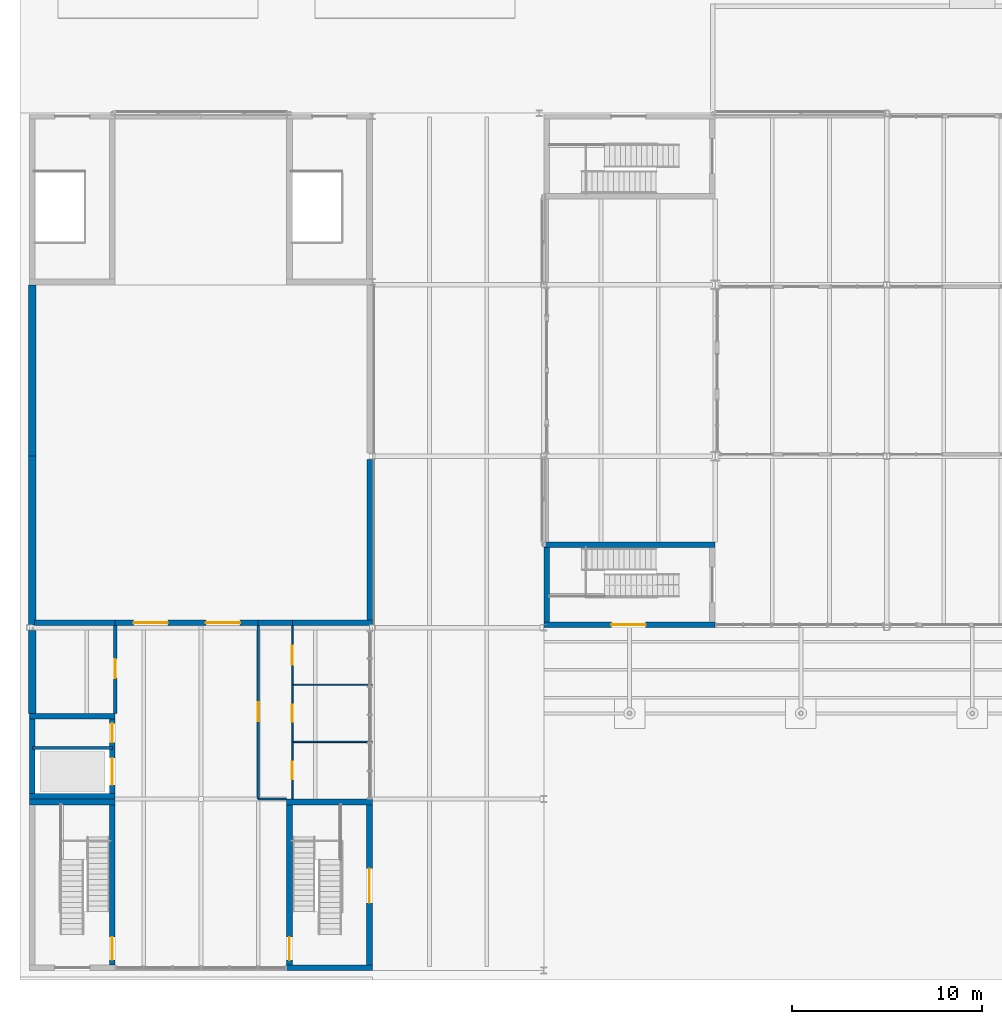
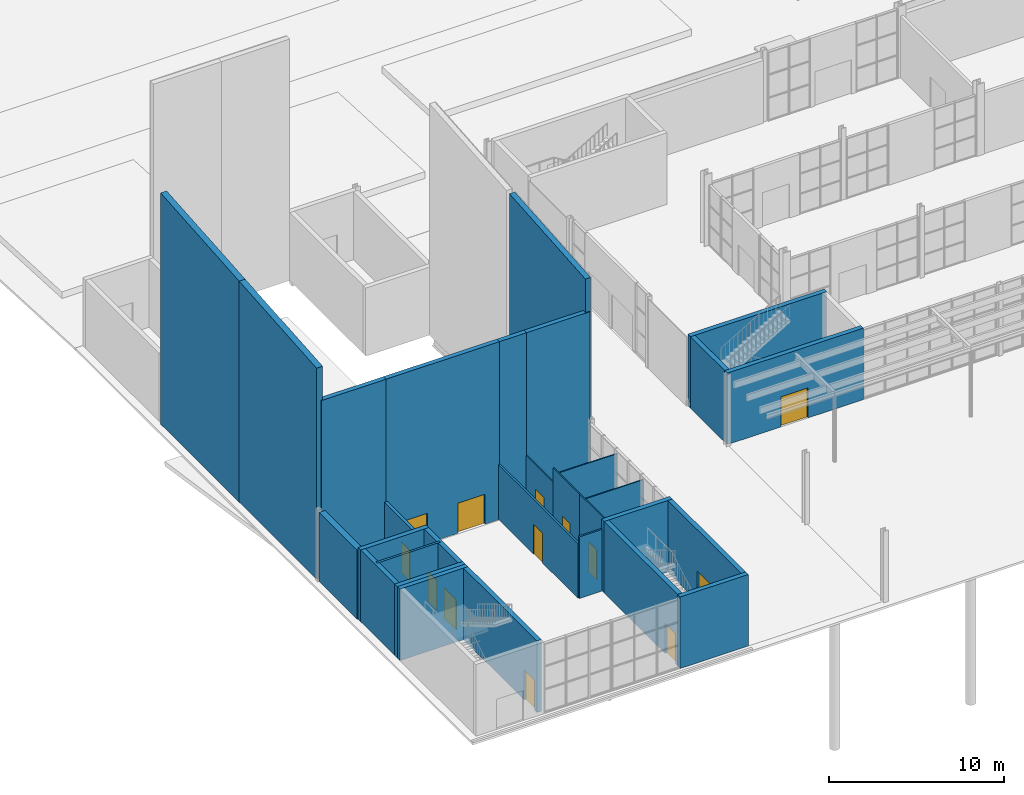
# One storey, part 36 of 63: 30 walls, 13 doors, 13 openings.
"""IFC4 building model written with IfcOpenShell, lengths in metres."""

from ifc_helpers import new_model, si_unit, direction, frame, frame_2d, origin, place, context, subcontext, project, spatial, polyline, rectangle, outline, extrude, material, layer, layer_set, type_object, element, fill, save


model = new_model("IFC4")

# Units and contexts
model_context = context("Model", 3, precision=1e-05, world=origin(), true_north=direction((0.0, 1.0)))
body_context = subcontext(model_context, "Body", "Model", "MODEL_VIEW")
ifc_project = project(units=[si_unit("LENGTHUNIT", "METRE"), si_unit("AREAUNIT", "SQUARE_METRE"), si_unit("VOLUMEUNIT", "CUBIC_METRE"), si_unit("PLANEANGLEUNIT", "RADIAN"), si_unit("MASSUNIT", "GRAM", prefix="KILO")], contexts=[model_context])

# Site, building, storey
site_placement = place(None, origin())
site = spatial("IfcSite", under=ifc_project, at=site_placement, CompositionType="ELEMENT")
building_placement = place(site_placement, origin())
building = spatial("IfcBuilding", under=site, at=building_placement, Name="Halyard Row Museum", CompositionType="ELEMENT")
storey_placement = place(building_placement, origin())
storey = spatial("IfcBuildingStorey", under=building, at=storey_placement, Name="L00", CompositionType="ELEMENT", Elevation=0.0)

# Wall
ifc_material_1 = material(Name="Dark timber battens on acoustic double stud wall", Category="wood")
ifc_layer_1 = layer(ifc_material_1, 0.35009765625)
ifc_layer_set_1 = layer_set([ifc_layer_1], Name="Dark timber battens on acoustic double stud wall")
wall_type_1 = type_object("IfcWallType", Name="Acoustic wall 350 dark timber-clad", PredefinedType="SOLIDWALL", material=ifc_layer_set_1)
wall_1_placement = place(storey_placement, frame((17.885009765625, 18.14990234375, 0.0), z_axis=(0.0, 0.0, 1.0), x_axis=(0.0, 1.0, 0.0)))
element("IfcWall", 1, at=wall_1_placement, inside=storey, type_object=wall_type_1, Name="Wall WL00-812", PredefinedType="SOLIDWALL", context=body_context, shape_type="SweptSolid", body=[
    extrude(outline(polyline([(0.0, 0.0), (8.6865234375, 0.0), (8.686279296875, 15.427001953125), (0.0, 14.73193359375), (0.0, 0.0)])), frame((0.0, 0.175048828125, 0.0), z_axis=(0.0, -1.0, 0.0), x_axis=(1.0, 0.0, 0.0)), (0.0, 0.0, 1.0), 0.35009765625),
])

# Wall, openings, doors
ifc_material_2 = material(Name="Plasterboard on steel studs with mineral wool", Category="steel")
ifc_layer_2 = layer(ifc_material_2, 0.300048828125)
ifc_layer_set_2 = layer_set([ifc_layer_2], Name="Plasterboard on steel studs with mineral wool")
wall_type_2 = type_object("IfcWallType", Name="Auditorium wall 300 acoustic", PredefinedType="PARTITIONING", material=ifc_layer_set_2)
wall_2_placement = place(storey_placement, frame((4.5, 18.25, -0.03759765625), z_axis=(0.0, 0.0, 1.0), x_axis=(1.0, 0.0, 0.0)))
wall_2 = element("IfcWall", 2, at=wall_2_placement, inside=storey, type_object=wall_type_2, Name="Partition Performance Foyer / Auditorium", PredefinedType="PARTITIONING", context=body_context, shape_type="SweptSolid", body=[
    extrude(rectangle(XDim=7.5, YDim=0.300048828125, at=frame_2d((3.75, 0.0))), origin(), (0.0, 0.0, 1.0), 12.42822265625),
])
opening_1_placement = place(wall_2_placement, frame((0.9599609375, 0.0, 0.0)))
opening_1 = element("IfcOpeningElement", 3, at=opening_1_placement, cuts=wall_2, Name="Opening DL00-026", PredefinedType="OPENING", context=body_context, shape_type="SweptSolid", body=[
    extrude(rectangle(XDim=1.800048828125, YDim=2.10009765625, at=frame_2d((0.89990234375, 1.050048828125))), frame((0.0, 0.159912109375, 0.0), z_axis=(0.0, -1.0, 0.0), x_axis=(1.0, 0.0, 0.0)), (0.0, 0.0, 1.0), 0.320068359375),
])
opening_2_placement = place(wall_2_placement, frame((4.760009765625, 0.0, 0.0)))
opening_2 = element("IfcOpeningElement", 4, at=opening_2_placement, cuts=wall_2, Name="Opening DL00-027", PredefinedType="OPENING", context=body_context, shape_type="SweptSolid", body=[
    extrude(rectangle(XDim=1.800048828125, YDim=2.10009765625, at=frame_2d((0.89990234375, 1.050048828125))), frame((0.0, 0.159912109375, 0.0), z_axis=(0.0, -1.0, 0.0), x_axis=(1.0, 0.0, 0.0)), (0.0, 0.0, 1.0), 0.320068359375),
])
ifc_material_3 = material(Name="Timber veneered door leaf and softwood frame", Category="wood")
door_type_1 = type_object("IfcDoorType", Name="Auditorium door 1800 x 2100 acoustic", OperationType="NOTDEFINED", PredefinedType="DOOR", material=ifc_material_3)
door_1_placement = place(opening_1_placement, frame((1.800048828125, 0.0, 0.0), z_axis=(0.0, 0.0, 1.0), x_axis=(-1.0, 0.0, 0.0)))
door_1 = element("IfcDoor", 5, at=door_1_placement, inside=storey, type_object=door_type_1, Name="Door Auditorium to Performance Foyer", OperationType="DOUBLE_DOOR_SINGLE_SWING", OverallHeight=2.10009765625, OverallWidth=1.800048828125, PredefinedType="DOOR", context=body_context, shape_type="SweptSolid", body=[
    extrude(rectangle(XDim=1.800048828125, YDim=2.10009765625, at=frame_2d((0.89990234375, 1.050048828125))), frame((0.0, 0.02490234375, 0.0), z_axis=(0.0, -1.0, 0.0), x_axis=(1.0, 0.0, 0.0)), (0.0, 0.0, 1.0), 0.050048828125),
])
fill(opening_1, door_1)
door_2_placement = place(opening_2_placement, frame((1.800048828125, 0.0, 0.0), z_axis=(0.0, 0.0, 1.0), x_axis=(-1.0, 0.0, 0.0)))
door_2 = element("IfcDoor", 6, at=door_2_placement, inside=storey, type_object=door_type_1, Name="Door Auditorium to Performance Foyer", OperationType="DOUBLE_DOOR_SINGLE_SWING", OverallHeight=2.10009765625, OverallWidth=1.800048828125, PredefinedType="DOOR", context=body_context, shape_type="SweptSolid", body=[
    extrude(rectangle(XDim=1.800048828125, YDim=2.10009765625, at=frame_2d((0.89990234375, 1.050048828125))), frame((0.0, 0.02490234375, 0.0), z_axis=(0.0, -1.0, 0.0), x_axis=(1.0, 0.0, 0.0)), (0.0, 0.0, 1.0), 0.050048828125),
])
fill(opening_2, door_2)

# Walls
wall_3_placement = place(storey_placement, frame((0.25, 18.25, -0.03759765625), z_axis=(0.0, 0.0, 1.0), x_axis=(1.0, 0.0, 0.0)))
element("IfcWall", 7, at=wall_3_placement, inside=storey, type_object=wall_type_2, Name="Partition Performance Cloakroom / Auditorium", PredefinedType="PARTITIONING", context=body_context, shape_type="SweptSolid", body=[
    extrude(rectangle(XDim=4.25, YDim=0.300048828125, at=frame_2d((2.125, 0.0))), origin(), (0.0, 0.0, 1.0), 12.42822265625),
])
wall_4_placement = place(storey_placement, frame((13.800048828125, 18.25, -0.03759765625), z_axis=(0.0, 0.0, 1.0), x_axis=(1.0, 0.0, 0.0)))
element("IfcWall", 8, at=wall_4_placement, inside=storey, type_object=wall_type_2, Name="Partition Auditorium / Accessible WC L00", PredefinedType="PARTITIONING", context=body_context, shape_type="SweptSolid", body=[
    extrude(rectangle(XDim=4.199951171875, YDim=0.300048828125, at=frame_2d((2.10009765625, 0.0))), origin(), (0.0, 0.0, 1.0), 12.42822265625),
])
ifc_material_4 = material(Name="Plasterboard on steel studs with mineral wool", Category="steel")
ifc_layer_3 = layer(ifc_material_4, 0.300048828125)
ifc_layer_set_3 = layer_set([ifc_layer_3], Name="Plasterboard on steel studs with mineral wool")
wall_type_3 = type_object("IfcWallType", Name="Auditorium wall 300 acoustic fire rated", PredefinedType="PARTITIONING", material=ifc_layer_set_3)
wall_5_placement = place(storey_placement, frame((12.0, 18.25, -0.03759765625), z_axis=(0.0, 0.0, 1.0), x_axis=(1.0, 0.0, 0.0)))
element("IfcWall", 9, at=wall_5_placement, inside=storey, type_object=wall_type_3, Name="Partition Auditorium / WC Lobby L00", PredefinedType="PARTITIONING", context=body_context, shape_type="SweptSolid", body=[
    extrude(rectangle(XDim=1.800048828125, YDim=0.300048828125, at=frame_2d((0.89990234375, 0.0))), origin(), (0.0, 0.0, 1.0), 12.42822265625),
])

# Wall, opening, door
ifc_material_5 = material(Name="Concrete masonry 15 MPa", Category="masonry")
ifc_layer_4 = layer(ifc_material_5, 0.199951171875)
ifc_layer_set_4 = layer_set([ifc_layer_4], Name="Concrete masonry 15 MPa")
wall_type_4 = type_object("IfcWallType", Name="Blockwork wall 200 fire rated", PredefinedType="PARTITIONING", material=ifc_layer_set_4)
wall_6_placement = place(storey_placement, frame((4.5, 13.5, 0.0), z_axis=(0.0, 0.0, 1.0), x_axis=(0.0, 1.0, 0.0)))
wall_6 = element("IfcWall", 10, at=wall_6_placement, inside=storey, type_object=wall_type_4, Name="Partition Performance Foyer / Performance Cloakroom", PredefinedType="PARTITIONING", context=body_context, shape_type="SweptSolid", body=[
    extrude(rectangle(XDim=4.60009765625, YDim=0.199951171875, at=frame_2d((2.300048828125, 0.0))), origin(), (0.0, 0.0, 1.0), 3.824951171875),
])
opening_3_placement = place(wall_6_placement, frame((1.85009765625, 0.0, 0.0)))
opening_3 = element("IfcOpeningElement", 11, at=opening_3_placement, cuts=wall_6, Name="Opening DL00-034", PredefinedType="OPENING", context=body_context, shape_type="SweptSolid", body=[
    extrude(rectangle(XDim=1.0, YDim=2.10009765625, at=frame_2d((0.5, 1.050048828125))), frame((0.0, 0.10986328125, 0.0), z_axis=(0.0, -1.0, 0.0), x_axis=(1.0, 0.0, 0.0)), (0.0, 0.0, 1.0), 0.219970703125),
])
ifc_material_6 = material(Name="Timber veneered door leaf and softwood frame", Category="wood")
door_type_2 = type_object("IfcDoorType", Name="Single door 1000 x 2100 fire rated", OperationType="NOTDEFINED", PredefinedType="DOOR", material=ifc_material_6)
door_3_placement = place(opening_3_placement, origin())
door_3 = element("IfcDoor", 12, at=door_3_placement, inside=storey, type_object=door_type_2, Name="Door Performance Cloakroom to Performance Foyer", OperationType="SINGLE_SWING_RIGHT", OverallHeight=2.10009765625, OverallWidth=1.0, PredefinedType="DOOR", context=body_context, shape_type="SweptSolid", body=[
    extrude(rectangle(XDim=1.0, YDim=2.10009765625, at=frame_2d((0.5, 1.050048828125))), frame((0.0, 0.02490234375, 0.0), z_axis=(0.0, -1.0, 0.0), x_axis=(1.0, 0.0, 0.0)), (0.0, 0.0, 1.0), 0.050048828125),
])
fill(opening_3, door_3)

# Wall
ifc_material_7 = material(Name="Concrete 40 MPa", Category="concrete")
ifc_layer_5 = layer(ifc_material_7, 0.300048828125)
ifc_layer_set_5 = layer_set([ifc_layer_5], Name="Concrete 40 MPa")
wall_type_5 = type_object("IfcWallType", Name="Core wall 300 lift shaft", PredefinedType="SOLIDWALL", material=ifc_layer_set_5)
wall_7_placement = place(storey_placement, frame((0.0, 9.14990234375, 0.0), z_axis=(0.0, 0.0, 1.0), x_axis=(1.0, 0.0, 0.0)))
element("IfcWall", 13, at=wall_7_placement, inside=storey, type_object=wall_type_5, Name="Core wall K6 S L00", PredefinedType="SOLIDWALL", context=body_context, shape_type="SweptSolid", body=[
    extrude(rectangle(XDim=4.5, YDim=0.300048828125, at=frame_2d((2.25, 0.0))), origin(), (0.0, 0.0, 1.0), 5.0),
])

# Wall, openings, doors
wall_8_placement = place(storey_placement, frame((4.35009765625, 9.300048828125, 0.0), z_axis=(0.0, 0.0, 1.0), x_axis=(0.0, 1.0, 0.0)))
wall_8 = element("IfcWall", 14, at=wall_8_placement, inside=storey, type_object=wall_type_5, Name="Core wall K6 E L00", PredefinedType="SOLIDWALL", context=body_context, shape_type="SweptSolid", body=[
    extrude(rectangle(XDim=3.89990234375, YDim=0.300048828125, at=frame_2d((1.949951171875, 0.0))), origin(), (0.0, 0.0, 1.0), 5.0),
])
opening_4_placement = place(wall_8_placement, frame((0.449951171875, 0.0, 0.0)))
opening_4 = element("IfcOpeningElement", 15, at=opening_4_placement, cuts=wall_8, Name="Opening LDPL2-L00", PredefinedType="OPENING", context=body_context, shape_type="SweptSolid", body=[
    extrude(rectangle(XDim=1.39990234375, YDim=2.10009765625, at=frame_2d((0.699951171875, 1.050048828125))), frame((0.0, 0.159912109375, 0.0), z_axis=(0.0, -1.0, 0.0), x_axis=(1.0, 0.0, 0.0)), (0.0, 0.0, 1.0), 0.320068359375),
])
opening_5_placement = place(wall_8_placement, frame((2.675048828125, 0.0, 0.0)))
opening_5 = element("IfcOpeningElement", 16, at=opening_5_placement, cuts=wall_8, Name="Opening DL00-025", PredefinedType="OPENING", context=body_context, shape_type="SweptSolid", body=[
    extrude(rectangle(XDim=1.0, YDim=2.10009765625, at=frame_2d((0.5, 1.050048828125))), frame((0.0, 0.159912109375, 0.0), z_axis=(0.0, -1.0, 0.0), x_axis=(1.0, 0.0, 0.0)), (0.0, 0.0, 1.0), 0.320068359375),
])
ifc_material_8 = material(Name="Stainless steel sliding car and landing doors", Category="steel")
door_type_3 = type_object("IfcDoorType", Name="Lift landing door 1400 x 2100", OperationType="SLIDING_TO_LEFT", PredefinedType="DOOR", material=ifc_material_8)
door_4_placement = place(opening_4_placement, origin())
door_4 = element("IfcDoor", 17, at=door_4_placement, inside=storey, type_object=door_type_3, Name="Landing door PL2 E L00", OperationType="SLIDING_TO_LEFT", OverallHeight=2.10009765625, OverallWidth=1.39990234375, PredefinedType="DOOR", context=body_context, shape_type="SweptSolid", body=[
    extrude(rectangle(XDim=1.39990234375, YDim=2.10009765625, at=frame_2d((0.699951171875, 1.050048828125))), frame((0.0, 0.02490234375, 0.0), z_axis=(0.0, -1.0, 0.0), x_axis=(1.0, 0.0, 0.0)), (0.0, 0.0, 1.0), 0.050048828125),
])
fill(opening_4, door_4)
ifc_material_9 = material(Name="Galvanised steel door leaf and frame", Category="steel")
door_type_4 = type_object("IfcDoorType", Name="Riser door 1000 x 2100 fire rated", OperationType="NOTDEFINED", PredefinedType="DOOR", material=ifc_material_9)
door_5_placement = place(opening_5_placement, frame((1.0, 0.0, 0.0), z_axis=(0.0, 0.0, 1.0), x_axis=(-1.0, 0.0, 0.0)))
door_5 = element("IfcDoor", 18, at=door_5_placement, inside=storey, type_object=door_type_4, Name="Riser door K6 L00", OperationType="SINGLE_SWING_RIGHT", OverallHeight=2.10009765625, OverallWidth=1.0, PredefinedType="DOOR", context=body_context, shape_type="SweptSolid", body=[
    extrude(rectangle(XDim=1.0, YDim=2.10009765625, at=frame_2d((0.5, 1.050048828125))), frame((0.0, 0.02490234375, 0.0), z_axis=(0.0, -1.0, 0.0), x_axis=(1.0, 0.0, 0.0)), (0.0, 0.0, 1.0), 0.050048828125),
])
fill(opening_5, door_5)

# Walls
wall_9_placement = place(storey_placement, frame((0.0, 13.35009765625, 0.0), z_axis=(0.0, 0.0, 1.0), x_axis=(1.0, 0.0, 0.0)))
element("IfcWall", 19, at=wall_9_placement, inside=storey, type_object=wall_type_5, Name="Core wall K6 N L00", PredefinedType="SOLIDWALL", context=body_context, shape_type="SweptSolid", body=[
    extrude(rectangle(XDim=4.5, YDim=0.300048828125, at=frame_2d((2.25, 0.0))), origin(), (0.0, 0.0, 1.0), 5.0),
])
wall_10_placement = place(storey_placement, frame((0.14990234375, 9.300048828125, 0.0), z_axis=(0.0, 0.0, 1.0), x_axis=(0.0, 1.0, 0.0)))
element("IfcWall", 20, at=wall_10_placement, inside=storey, type_object=wall_type_5, Name="Core wall K6 W L00", PredefinedType="SOLIDWALL", context=body_context, shape_type="SweptSolid", body=[
    extrude(rectangle(XDim=3.89990234375, YDim=0.300048828125, at=frame_2d((1.949951171875, 0.0))), origin(), (0.0, 0.0, 1.0), 5.0),
])

# Wall, opening, door
ifc_material_10 = material(Name="Concrete 40 MPa", Category="concrete")
ifc_layer_6 = layer(ifc_material_10, 0.300048828125)
ifc_layer_set_6 = layer_set([ifc_layer_6], Name="Concrete 40 MPa")
wall_type_6 = type_object("IfcWallType", Name="Exitway wall 300 reinforced concrete", PredefinedType="SOLIDWALL", material=ifc_layer_set_6)
wall_11_placement = place(storey_placement, frame((27.0, 18.14990234375, 0.0), z_axis=(0.0, 0.0, 1.0), x_axis=(1.0, 0.0, 0.0)))
wall_11 = element("IfcWall", 21, at=wall_11_placement, inside=storey, type_object=wall_type_6, Name="Core wall K1D S L00", PredefinedType="SOLIDWALL", context=body_context, shape_type="SweptSolid", body=[
    extrude(rectangle(XDim=9.0, YDim=0.300048828125, at=frame_2d((4.5, 0.0))), origin(), (0.0, 0.0, 1.0), 5.0),
])
opening_6_placement = place(wall_11_placement, frame((3.550048828125, 0.0, 0.0)))
opening_6 = element("IfcOpeningElement", 22, at=opening_6_placement, cuts=wall_11, Name="Opening DL00-007", PredefinedType="OPENING", context=body_context, shape_type="SweptSolid", body=[
    extrude(rectangle(XDim=1.800048828125, YDim=2.10009765625, at=frame_2d((0.89990234375, 1.050048828125))), frame((0.0, 0.159912109375, 0.0), z_axis=(0.0, -1.0, 0.0), x_axis=(1.0, 0.0, 0.0)), (0.0, 0.0, 1.0), 0.320068359375),
])
ifc_material_11 = material(Name="Fire-resisting timber door leaf and steel frame", Category="steel")
door_type_5 = type_object("IfcDoorType", Name="Exitway door 1800 x 2100 fire rated", OperationType="NOTDEFINED", PredefinedType="DOOR", material=ifc_material_11)
door_6_placement = place(opening_6_placement, frame((1.800048828125, 0.0, 0.0), z_axis=(0.0, 0.0, 1.0), x_axis=(-1.0, 0.0, 0.0)))
door_6 = element("IfcDoor", 23, at=door_6_placement, inside=storey, type_object=door_type_5, Name="Exitway door K1D exit", OperationType="DOUBLE_DOOR_SINGLE_SWING", OverallHeight=2.10009765625, OverallWidth=1.800048828125, PredefinedType="DOOR", context=body_context, shape_type="SweptSolid", body=[
    extrude(rectangle(XDim=1.800048828125, YDim=2.10009765625, at=frame_2d((0.89990234375, 1.050048828125))), frame((0.0, 0.02490234375, 0.0), z_axis=(0.0, -1.0, 0.0), x_axis=(1.0, 0.0, 0.0)), (0.0, 0.0, 1.0), 0.050048828125),
])
fill(opening_6, door_6)

# Walls
wall_12_placement = place(storey_placement, frame((27.0, 22.35009765625, 0.0), z_axis=(0.0, 0.0, 1.0), x_axis=(1.0, 0.0, 0.0)))
element("IfcWall", 24, at=wall_12_placement, inside=storey, type_object=wall_type_6, Name="Core wall K1D N L00", PredefinedType="SOLIDWALL", context=body_context, shape_type="SweptSolid", body=[
    extrude(rectangle(XDim=9.0, YDim=0.300048828125, at=frame_2d((4.5, 0.0))), origin(), (0.0, 0.0, 1.0), 5.0),
])
wall_13_placement = place(storey_placement, frame((27.14990234375, 18.300048828125, 0.0), z_axis=(0.0, 0.0, 1.0), x_axis=(0.0, 1.0, 0.0)))
element("IfcWall", 25, at=wall_13_placement, inside=storey, type_object=wall_type_6, Name="Core wall K1D W L00", PredefinedType="SOLIDWALL", context=body_context, shape_type="SweptSolid", body=[
    extrude(rectangle(XDim=3.89990234375, YDim=0.300048828125, at=frame_2d((1.949951171875, 0.0))), origin(), (0.0, 0.0, 1.0), 5.0),
])
wall_14_placement = place(storey_placement, frame((13.5, 0.14990234375, 0.0), z_axis=(0.0, 0.0, 1.0), x_axis=(1.0, 0.0, 0.0)))
element("IfcWall", 26, at=wall_14_placement, inside=storey, type_object=wall_type_6, Name="Core wall K3E S L00", PredefinedType="SOLIDWALL", context=body_context, shape_type="SweptSolid", body=[
    extrude(rectangle(XDim=4.5, YDim=0.300048828125, at=frame_2d((2.25, 0.0))), origin(), (0.0, 0.0, 1.0), 5.0),
])

# Wall, opening, door
wall_15_placement = place(storey_placement, frame((17.85009765625, 0.300048828125, 0.0), z_axis=(0.0, 0.0, 1.0), x_axis=(0.0, 1.0, 0.0)))
wall_15 = element("IfcWall", 27, at=wall_15_placement, inside=storey, type_object=wall_type_6, Name="Core wall K3E E L00", PredefinedType="SOLIDWALL", context=body_context, shape_type="SweptSolid", body=[
    extrude(rectangle(XDim=8.39990234375, YDim=0.300048828125, at=frame_2d((4.199951171875, 0.0))), origin(), (0.0, 0.0, 1.0), 5.0),
])
opening_7_placement = place(wall_15_placement, frame((3.25, 0.0, 0.0)))
opening_7 = element("IfcOpeningElement", 28, at=opening_7_placement, cuts=wall_15, Name="Opening DL00-015", PredefinedType="OPENING", context=body_context, shape_type="SweptSolid", body=[
    extrude(rectangle(XDim=1.800048828125, YDim=2.10009765625, at=frame_2d((0.89990234375, 1.050048828125))), frame((0.0, 0.159912109375, 0.0), z_axis=(0.0, -1.0, 0.0), x_axis=(1.0, 0.0, 0.0)), (0.0, 0.0, 1.0), 0.320068359375),
])
door_7_placement = place(opening_7_placement, frame((1.800048828125, 0.0, 0.0), z_axis=(0.0, 0.0, 1.0), x_axis=(-1.0, 0.0, 0.0)))
door_7 = element("IfcDoor", 29, at=door_7_placement, inside=storey, type_object=door_type_5, Name="Exitway door K3E exit", OperationType="DOUBLE_DOOR_SINGLE_SWING", OverallHeight=2.10009765625, OverallWidth=1.800048828125, PredefinedType="DOOR", context=body_context, shape_type="SweptSolid", body=[
    extrude(rectangle(XDim=1.800048828125, YDim=2.10009765625, at=frame_2d((0.89990234375, 1.050048828125))), frame((0.0, 0.02490234375, 0.0), z_axis=(0.0, -1.0, 0.0), x_axis=(1.0, 0.0, 0.0)), (0.0, 0.0, 1.0), 0.050048828125),
])
fill(opening_7, door_7)

# Wall
wall_16_placement = place(storey_placement, frame((13.5, 8.85009765625, 0.0), z_axis=(0.0, 0.0, 1.0), x_axis=(1.0, 0.0, 0.0)))
element("IfcWall", 30, at=wall_16_placement, inside=storey, type_object=wall_type_6, Name="Core wall K3E N L00", PredefinedType="SOLIDWALL", context=body_context, shape_type="SweptSolid", body=[
    extrude(rectangle(XDim=4.5, YDim=0.300048828125, at=frame_2d((2.25, 0.0))), origin(), (0.0, 0.0, 1.0), 5.0),
])

# Wall, opening, door
wall_17_placement = place(storey_placement, frame((13.64990234375, 0.300048828125, 0.0), z_axis=(0.0, 0.0, 1.0), x_axis=(0.0, 1.0, 0.0)))
wall_17 = element("IfcWall", 31, at=wall_17_placement, inside=storey, type_object=wall_type_6, Name="Core wall K3E W L00", PredefinedType="SOLIDWALL", context=body_context, shape_type="SweptSolid", body=[
    extrude(rectangle(XDim=8.39990234375, YDim=0.300048828125, at=frame_2d((4.199951171875, 0.0))), origin(), (0.0, 0.0, 1.0), 5.0),
])
opening_8_placement = place(wall_17_placement, frame((0.25, 0.0, 0.0)))
opening_8 = element("IfcOpeningElement", 32, at=opening_8_placement, cuts=wall_17, Name="Opening DL00-016", PredefinedType="OPENING", context=body_context, shape_type="SweptSolid", body=[
    extrude(rectangle(XDim=1.199951171875, YDim=2.10009765625, at=frame_2d((0.60009765625, 1.050048828125))), frame((0.0, 0.159912109375, 0.0), z_axis=(0.0, -1.0, 0.0), x_axis=(1.0, 0.0, 0.0)), (0.0, 0.0, 1.0), 0.320068359375),
])
ifc_material_12 = material(Name="Fire-resisting timber door leaf and steel frame", Category="steel")
door_type_6 = type_object("IfcDoorType", Name="Exitway door 1200 x 2100 fire rated", OperationType="NOTDEFINED", PredefinedType="DOOR", material=ifc_material_12)
door_8_placement = place(opening_8_placement, frame((1.199951171875, 0.0, 0.0), z_axis=(0.0, 0.0, 1.0), x_axis=(-1.0, 0.0, 0.0)))
door_8 = element("IfcDoor", 33, at=door_8_placement, inside=storey, type_object=door_type_6, Name="Exitway door K3E L00", OperationType="SINGLE_SWING_LEFT", OverallHeight=2.10009765625, OverallWidth=1.199951171875, PredefinedType="DOOR", context=body_context, shape_type="SweptSolid", body=[
    extrude(rectangle(XDim=1.199951171875, YDim=2.10009765625, at=frame_2d((0.60009765625, 1.050048828125))), frame((0.0, 0.02490234375, 0.0), z_axis=(0.0, -1.0, 0.0), x_axis=(1.0, 0.0, 0.0)), (0.0, 0.0, 1.0), 0.050048828125),
])
fill(opening_8, door_8)

wall_18_placement = place(storey_placement, frame((4.35009765625, 0.300048828125, 0.0), z_axis=(0.0, 0.0, 1.0), x_axis=(0.0, 1.0, 0.0)))
wall_18 = element("IfcWall", 34, at=wall_18_placement, inside=storey, type_object=wall_type_6, Name="Core wall K3S E L00", PredefinedType="SOLIDWALL", context=body_context, shape_type="SweptSolid", body=[
    extrude(rectangle(XDim=8.39990234375, YDim=0.300048828125, at=frame_2d((4.199951171875, 0.0))), origin(), (0.0, 0.0, 1.0), 5.0),
])
opening_9_placement = place(wall_18_placement, frame((0.25, 0.0, 0.0)))
opening_9 = element("IfcOpeningElement", 35, at=opening_9_placement, cuts=wall_18, Name="Opening DL00-019", PredefinedType="OPENING", context=body_context, shape_type="SweptSolid", body=[
    extrude(rectangle(XDim=1.199951171875, YDim=2.10009765625, at=frame_2d((0.60009765625, 1.050048828125))), frame((0.0, 0.159912109375, 0.0), z_axis=(0.0, -1.0, 0.0), x_axis=(1.0, 0.0, 0.0)), (0.0, 0.0, 1.0), 0.320068359375),
])
door_9_placement = place(opening_9_placement, origin())
door_9 = element("IfcDoor", 36, at=door_9_placement, inside=storey, type_object=door_type_6, Name="Exitway door K3S L00", OperationType="SINGLE_SWING_RIGHT", OverallHeight=2.10009765625, OverallWidth=1.199951171875, PredefinedType="DOOR", context=body_context, shape_type="SweptSolid", body=[
    extrude(rectangle(XDim=1.199951171875, YDim=2.10009765625, at=frame_2d((0.60009765625, 1.050048828125))), frame((0.0, 0.02490234375, 0.0), z_axis=(0.0, -1.0, 0.0), x_axis=(1.0, 0.0, 0.0)), (0.0, 0.0, 1.0), 0.050048828125),
])
fill(opening_9, door_9)

# Walls
wall_19_placement = place(storey_placement, frame((0.0, 8.85009765625, 0.0), z_axis=(0.0, 0.0, 1.0), x_axis=(1.0, 0.0, 0.0)))
element("IfcWall", 37, at=wall_19_placement, inside=storey, type_object=wall_type_6, Name="Core wall K3S N L00", PredefinedType="SOLIDWALL", context=body_context, shape_type="SweptSolid", body=[
    extrude(rectangle(XDim=4.5, YDim=0.300048828125, at=frame_2d((2.25, 0.0))), origin(), (0.0, 0.0, 1.0), 5.0),
])
ifc_material_13 = material(Name="Concrete 40 MPa", Category="concrete")
ifc_layer_7 = layer(ifc_material_13, 0.14990234375)
ifc_layer_set_7 = layer_set([ifc_layer_7], Name="Concrete 40 MPa")
wall_type_7 = type_object("IfcWallType", Name="Lift shaft divider 150", PredefinedType="SOLIDWALL", material=ifc_layer_set_7)
wall_20_placement = place(storey_placement, frame((0.14990234375, 11.675048828125, 0.0), z_axis=(0.0, 0.0, 1.0), x_axis=(1.0, 0.0, 0.0)))
element("IfcWall", 38, at=wall_20_placement, inside=storey, type_object=wall_type_7, Name="Shaft divider PL2 L00", PredefinedType="SOLIDWALL", context=body_context, shape_type="SweptSolid", body=[
    extrude(rectangle(XDim=4.2001953125, YDim=0.14990234375, at=frame_2d((2.10009765625, 0.0))), origin(), (0.0, 0.0, 1.0), 5.0),
])
ifc_material_14 = material(Name="Concrete 40 MPa", Category="concrete")
ifc_layer_8 = layer(ifc_material_14, 0.39990234375)
ifc_layer_set_8 = layer_set([ifc_layer_8], Name="Concrete 40 MPa")
wall_type_8 = type_object("IfcWallType", Name="Party wall 400 reinforced concrete", PredefinedType="SOLIDWALL", material=ifc_layer_set_8)
wall_21_placement = place(storey_placement, frame((0.139892578125, 27.0, 0.0), z_axis=(0.0, 0.0, 1.0), x_axis=(0.0, 1.0, 0.0)))
element("IfcWall", 39, at=wall_21_placement, inside=storey, type_object=wall_type_8, Name="Wall WL00-809", PredefinedType="SOLIDWALL", context=body_context, shape_type="SweptSolid", body=[
    extrude(outline(polyline([(0.0, 0.0), (9.0, 0.0), (9.0, 16.159912109375), (0.0, 15.43994140625), (0.0, 0.0)])), frame((0.0, 0.199951171875, 0.0), z_axis=(0.0, -1.0, 0.0), x_axis=(1.0, 0.0, 0.0)), (0.0, 0.0, 1.0), 0.39990234375),
])
wall_22_placement = place(storey_placement, frame((0.139892578125, 18.14990234375, 0.0), z_axis=(0.0, 0.0, 1.0), x_axis=(0.0, 1.0, 0.0)))
element("IfcWall", 40, at=wall_22_placement, inside=storey, type_object=wall_type_8, Name="Wall WL00-810", PredefinedType="SOLIDWALL", context=body_context, shape_type="SweptSolid", body=[
    extrude(outline(polyline([(0.0, 0.0), (8.85009765625, 0.0), (8.85009765625, 15.43994140625), (0.0, 14.73193359375), (0.0, 0.0)])), frame((0.0, 0.199951171875, 0.0), z_axis=(0.0, -1.0, 0.0), x_axis=(1.0, 0.0, 0.0)), (0.0, 0.0, 1.0), 0.39990234375),
])
wall_23_placement = place(storey_placement, frame((0.139892578125, 13.5, 0.0), z_axis=(0.0, 0.0, 1.0), x_axis=(0.0, 1.0, 0.0)))
element("IfcWall", 41, at=wall_23_placement, inside=storey, type_object=wall_type_8, Name="Wall WL00-811", PredefinedType="SOLIDWALL", context=body_context, shape_type="SweptSolid", body=[
    extrude(rectangle(XDim=4.35009765625, YDim=0.39990234375, at=frame_2d((2.175048828125, 0.0))), origin(), (0.0, 0.0, 1.0), 4.8349609375),
])

# Wall, opening, door
ifc_material_15 = material(Name="Plasterboard on steel studs with mineral wool", Category="steel")
ifc_layer_9 = layer(ifc_material_15, 0.125)
ifc_layer_set_9 = layer_set([ifc_layer_9], Name="Plasterboard on steel studs with mineral wool")
wall_type_9 = type_object("IfcWallType", Name="Stud partition 125 fire rated", PredefinedType="PARTITIONING", material=ifc_layer_set_9)
wall_24_placement = place(storey_placement, frame((12.0, 9.0, 0.0), z_axis=(0.0, 0.0, 1.0), x_axis=(0.0, 1.0, 0.0)))
wall_24 = element("IfcWall", 42, at=wall_24_placement, inside=storey, type_object=wall_type_9, Name="Partition Performance Foyer / WC Lobby L00", PredefinedType="PARTITIONING", context=body_context, shape_type="SweptSolid", body=[
    extrude(rectangle(XDim=9.10009765625, YDim=0.125, at=frame_2d((4.550048828125, 0.0))), origin(), (0.0, 0.0, 1.0), 3.824951171875),
])
opening_10_placement = place(wall_24_placement, frame((4.072509765625, 0.0, 0.0)))
opening_10 = element("IfcOpeningElement", 43, at=opening_10_placement, cuts=wall_24, Name="Opening DL00-035", PredefinedType="OPENING", context=body_context, shape_type="SweptSolid", body=[
    extrude(rectangle(XDim=1.0, YDim=2.10009765625, at=frame_2d((0.5, 1.050048828125))), frame((0.0, 0.072509765625, 0.0), z_axis=(0.0, -1.0, 0.0), x_axis=(1.0, 0.0, 0.0)), (0.0, 0.0, 1.0), 0.14501953125),
])
door_10_placement = place(opening_10_placement, frame((1.0, 0.0, 0.0), z_axis=(0.0, 0.0, 1.0), x_axis=(-1.0, 0.0, 0.0)))
door_10 = element("IfcDoor", 44, at=door_10_placement, inside=storey, type_object=door_type_2, Name="Door WC Lobby L00 to Performance Foyer", OperationType="SINGLE_SWING_RIGHT", OverallHeight=2.10009765625, OverallWidth=1.0, PredefinedType="DOOR", context=body_context, shape_type="SweptSolid", body=[
    extrude(rectangle(XDim=1.0, YDim=2.10009765625, at=frame_2d((0.5, 1.050048828125))), frame((0.0, 0.02490234375, 0.0), z_axis=(0.0, -1.0, 0.0), x_axis=(1.0, 0.0, 0.0)), (0.0, 0.0, 1.0), 0.050048828125),
])
fill(opening_10, door_10)

# Walls
wall_25_placement = place(storey_placement, frame((12.0, 9.0, 0.0), z_axis=(0.0, 0.0, 1.0), x_axis=(1.0, 0.0, 0.0)))
element("IfcWall", 45, at=wall_25_placement, inside=storey, type_object=wall_type_9, Name="Partition Performance Foyer / WC Lobby L00", PredefinedType="PARTITIONING", context=body_context, shape_type="SweptSolid", body=[
    extrude(rectangle(XDim=1.5, YDim=0.125, at=frame_2d((0.75, 0.0))), origin(), (0.0, 0.0, 1.0), 4.302001953125),
])
ifc_material_16 = material(Name="Plasterboard on steel studs with mineral wool", Category="steel")
ifc_layer_10 = layer(ifc_material_16, 0.074951171875)
ifc_layer_set_10 = layer_set([ifc_layer_10], Name="Plasterboard on steel studs with mineral wool")
wall_type_10 = type_object("IfcWallType", Name="WC cubicle partition 75", PredefinedType="PARTITIONING", material=ifc_layer_set_10)
for number, where, z_axis, x_axis, name in (
    (46, (13.800048828125, 12.0, 0.0), (0.0, 0.0, 1.0), (1.0, 0.0, 0.0), "Partition WC Women L00 / WC Men L00"),
    (47, (13.800048828125, 15.0, 0.0), (0.0, 0.0, 1.0), (1.0, 0.0, 0.0), "Partition WC Men L00 / Accessible WC L00"),
):
    element("IfcWall", number, at=place(storey_placement, frame(where, z_axis=z_axis, x_axis=x_axis)), inside=storey, type_object=wall_type_10, Name=name, PredefinedType="PARTITIONING", context=body_context, shape_type="SweptSolid", body=[
        extrude(rectangle(XDim=4.199951171875, YDim=0.074951171875, at=frame_2d((2.10009765625, 0.0))), origin(), (0.0, 0.0, 1.0), 4.377685546875),
    ])

# Wall, opening, door
ifc_material_17 = material(Name="Plasterboard on steel studs with mineral wool", Category="steel")
ifc_layer_11 = layer(ifc_material_17, 0.074951171875)
ifc_layer_set_11 = layer_set([ifc_layer_11], Name="Plasterboard on steel studs with mineral wool")
wall_type_11 = type_object("IfcWallType", Name="WC cubicle partition 75 fire rated", PredefinedType="PARTITIONING", material=ifc_layer_set_11)
wall_26_placement = place(storey_placement, frame((13.800048828125, 9.0, 0.0), z_axis=(0.0, 0.0, 1.0), x_axis=(0.0, 1.0, 0.0)))
wall_26 = element("IfcWall", 48, at=wall_26_placement, inside=storey, type_object=wall_type_11, Name="Partition WC Lobby L00 / WC Women L00", PredefinedType="PARTITIONING", context=body_context, shape_type="SweptSolid", body=[
    extrude(rectangle(XDim=3.0, YDim=0.074951171875, at=frame_2d((1.5, 0.0))), origin(), (0.0, 0.0, 1.0), 4.8349609375),
])
opening_11_placement = place(wall_26_placement, frame((1.050048828125, 0.0, 0.0)))
opening_11 = element("IfcOpeningElement", 49, at=opening_11_placement, cuts=wall_26, Name="Opening DL00-036", PredefinedType="OPENING", context=body_context, shape_type="SweptSolid", body=[
    extrude(rectangle(XDim=0.89990234375, YDim=2.10009765625, at=frame_2d((0.449951171875, 1.050048828125))), frame((0.0, 0.04736328125, 0.0), z_axis=(0.0, -1.0, 0.0), x_axis=(1.0, 0.0, 0.0)), (0.0, 0.0, 1.0), 0.094970703125),
])
ifc_material_18 = material(Name="Timber veneered door leaf and softwood frame", Category="wood")
door_type_7 = type_object("IfcDoorType", Name="Single door 900 x 2100 fire rated", OperationType="NOTDEFINED", PredefinedType="DOOR", material=ifc_material_18)
door_11_placement = place(opening_11_placement, frame((0.89990234375, 0.0, 0.0), z_axis=(0.0, 0.0, 1.0), x_axis=(-1.0, 0.0, 0.0)))
door_11 = element("IfcDoor", 50, at=door_11_placement, inside=storey, type_object=door_type_7, Name="Door WC Women L00 to WC Lobby L00", OperationType="SINGLE_SWING_LEFT", OverallHeight=2.10009765625, OverallWidth=0.89990234375, PredefinedType="DOOR", context=body_context, shape_type="SweptSolid", body=[
    extrude(rectangle(XDim=0.89990234375, YDim=2.10009765625, at=frame_2d((0.449951171875, 1.050048828125))), frame((0.0, 0.02490234375, 0.0), z_axis=(0.0, -1.0, 0.0), x_axis=(1.0, 0.0, 0.0)), (0.0, 0.0, 1.0), 0.050048828125),
])
fill(opening_11, door_11)

wall_27_placement = place(storey_placement, frame((13.800048828125, 12.0, 0.0), z_axis=(0.0, 0.0, 1.0), x_axis=(0.0, 1.0, 0.0)))
wall_27 = element("IfcWall", 51, at=wall_27_placement, inside=storey, type_object=wall_type_11, Name="Partition WC Lobby L00 / WC Men L00", PredefinedType="PARTITIONING", context=body_context, shape_type="SweptSolid", body=[
    extrude(rectangle(XDim=3.0, YDim=0.074951171875, at=frame_2d((1.5, 0.0))), origin(), (0.0, 0.0, 1.0), 4.8349609375),
])
opening_12_placement = place(wall_27_placement, frame((1.050048828125, 0.0, 0.0)))
opening_12 = element("IfcOpeningElement", 52, at=opening_12_placement, cuts=wall_27, Name="Opening DL00-037", PredefinedType="OPENING", context=body_context, shape_type="SweptSolid", body=[
    extrude(rectangle(XDim=0.89990234375, YDim=2.10009765625, at=frame_2d((0.449951171875, 1.050048828125))), frame((0.0, 0.04736328125, 0.0), z_axis=(0.0, -1.0, 0.0), x_axis=(1.0, 0.0, 0.0)), (0.0, 0.0, 1.0), 0.094970703125),
])
door_12_placement = place(opening_12_placement, frame((0.89990234375, 0.0, 0.0), z_axis=(0.0, 0.0, 1.0), x_axis=(-1.0, 0.0, 0.0)))
door_12 = element("IfcDoor", 53, at=door_12_placement, inside=storey, type_object=door_type_7, Name="Door WC Men L00 to WC Lobby L00", OperationType="SINGLE_SWING_RIGHT", OverallHeight=2.10009765625, OverallWidth=0.89990234375, PredefinedType="DOOR", context=body_context, shape_type="SweptSolid", body=[
    extrude(rectangle(XDim=0.89990234375, YDim=2.10009765625, at=frame_2d((0.449951171875, 1.050048828125))), frame((0.0, 0.02490234375, 0.0), z_axis=(0.0, -1.0, 0.0), x_axis=(1.0, 0.0, 0.0)), (0.0, 0.0, 1.0), 0.050048828125),
])
fill(opening_12, door_12)

wall_28_placement = place(storey_placement, frame((13.800048828125, 15.0, 0.0), z_axis=(0.0, 0.0, 1.0), x_axis=(0.0, 1.0, 0.0)))
wall_28 = element("IfcWall", 54, at=wall_28_placement, inside=storey, type_object=wall_type_11, Name="Partition WC Lobby L00 / Accessible WC L00", PredefinedType="PARTITIONING", context=body_context, shape_type="SweptSolid", body=[
    extrude(rectangle(XDim=3.10009765625, YDim=0.074951171875, at=frame_2d((1.550048828125, 0.0))), origin(), (0.0, 0.0, 1.0), 3.824951171875),
])
opening_13_placement = place(wall_28_placement, frame((1.050048828125, 0.0, 0.0)))
opening_13 = element("IfcOpeningElement", 55, at=opening_13_placement, cuts=wall_28, Name="Opening DL00-038", PredefinedType="OPENING", context=body_context, shape_type="SweptSolid", body=[
    extrude(rectangle(XDim=1.0, YDim=2.10009765625, at=frame_2d((0.5, 1.050048828125))), frame((0.0, 0.04736328125, 0.0), z_axis=(0.0, -1.0, 0.0), x_axis=(1.0, 0.0, 0.0)), (0.0, 0.0, 1.0), 0.094970703125),
])
door_13_placement = place(opening_13_placement, frame((1.0, 0.0, 0.0), z_axis=(0.0, 0.0, 1.0), x_axis=(-1.0, 0.0, 0.0)))
door_13 = element("IfcDoor", 56, at=door_13_placement, inside=storey, type_object=door_type_2, Name="Door Accessible WC L00 to WC Lobby L00", OperationType="SINGLE_SWING_LEFT", OverallHeight=2.10009765625, OverallWidth=1.0, PredefinedType="DOOR", context=body_context, shape_type="SweptSolid", body=[
    extrude(rectangle(XDim=1.0, YDim=2.10009765625, at=frame_2d((0.5, 1.050048828125))), frame((0.0, 0.02490234375, 0.0), z_axis=(0.0, -1.0, 0.0), x_axis=(1.0, 0.0, 0.0)), (0.0, 0.0, 1.0), 0.050048828125),
])
fill(opening_13, door_13)

save(model, "model.ifc")
